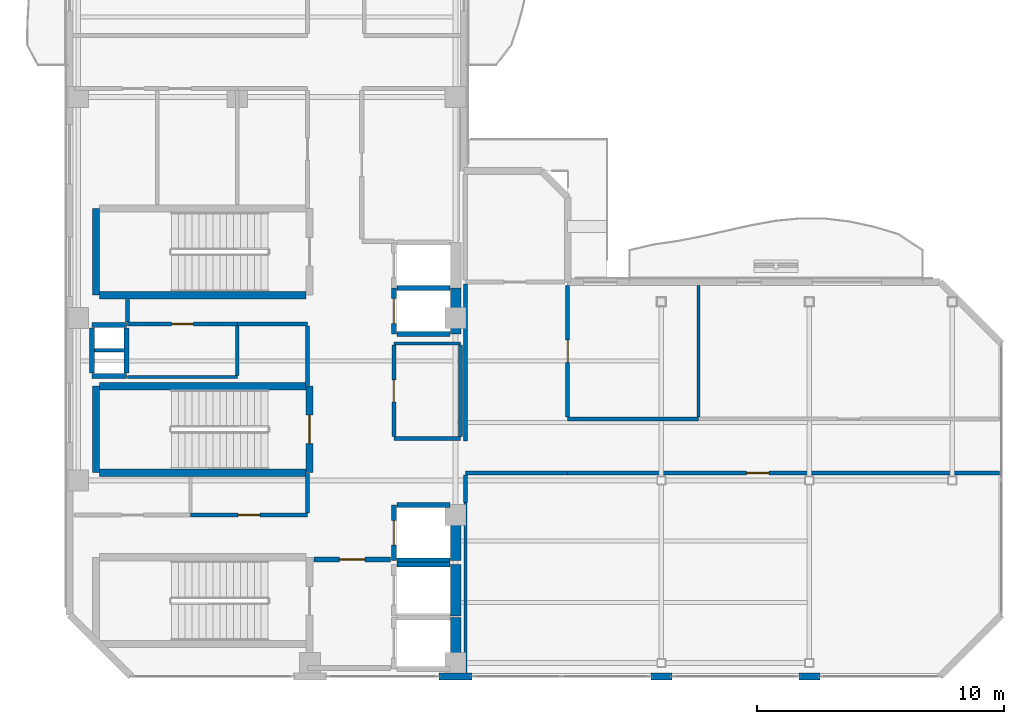
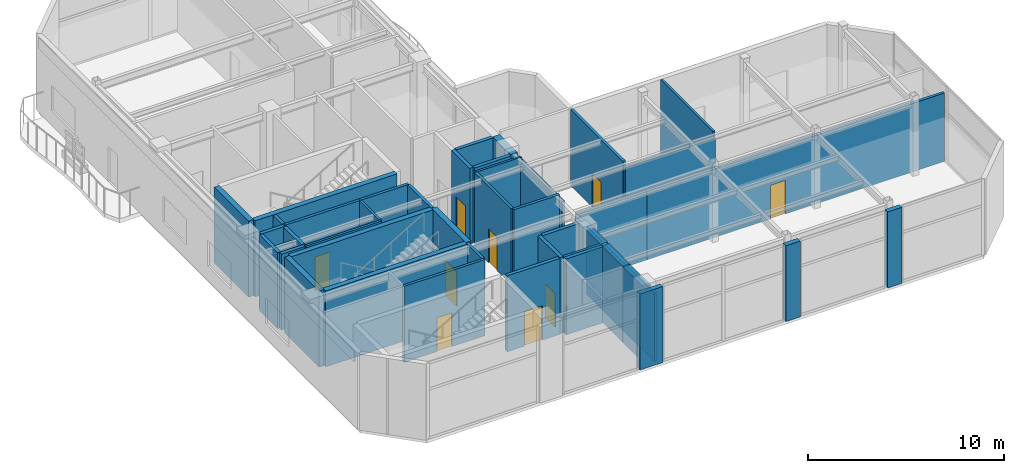
# One storey, part 10 of 16: 46 walls, 9 doors, 9 openings.
"""IFC4 building model written with IfcOpenShell, lengths in metres."""

from ifc_helpers import new_model, si_unit, direction, frame, frame_2d, origin, place, context, subcontext, project, spatial, rectangle, extrude, material, layer, layer_set, type_object, element, fill, save


model = new_model("IFC4")

# Units and contexts
model_context = context("Model", 3, precision=1e-05, world=origin(), true_north=direction((0.0, 1.0)))
body_context = subcontext(model_context, "Body", "Model", "MODEL_VIEW")
ifc_project = project(units=[si_unit("LENGTHUNIT", "METRE"), si_unit("AREAUNIT", "SQUARE_METRE"), si_unit("VOLUMEUNIT", "CUBIC_METRE"), si_unit("PLANEANGLEUNIT", "RADIAN"), si_unit("MASSUNIT", "GRAM", prefix="KILO")], contexts=[model_context])

# Site, building, storey
site_placement = place(None, origin())
site = spatial("IfcSite", under=ifc_project, at=site_placement, CompositionType="ELEMENT")
building_placement = place(site_placement, origin())
building = spatial("IfcBuilding", under=site, at=building_placement, Name="Mawjaban Terraces University", CompositionType="ELEMENT")
storey_placement = place(building_placement, frame((0.0, 0.0, 311.699951171875)))
storey = spatial("IfcBuildingStorey", under=building, at=storey_placement, Name="L76", CompositionType="ELEMENT", Elevation=311.699951171875)

# Walls
ifc_material_1 = material(Name="Concrete C50/60", Category="concrete")
ifc_layer_1 = layer(ifc_material_1, 0.419921875)
ifc_layer_set_1 = layer_set([ifc_layer_1], Name="Concrete C50/60")
wall_type_1 = type_object("IfcWallType", Name="CoreShearWall_420", PredefinedType="SHEAR", material=ifc_layer_set_1)
wall_1_placement = place(storey_placement, frame((37.659912109375, 0.300048828125, 0.0), z_axis=(0.0, 0.0, 1.0), x_axis=(0.0, 1.0, 0.0)))
element("IfcWall", 1, at=wall_1_placement, inside=storey, type_object=wall_type_1, Name="L76 Lift FL-1 Hoistway Wall East", PredefinedType="SHEAR", context=body_context, shape_type="SweptSolid", body=[
    extrude(rectangle(XDim=2.099853515625, YDim=0.419921875, at=frame_2d((1.0498046875, 0.0))), origin(), (0.0, 0.0, 1.0), 4.739990234375),
])
wall_2_placement = place(storey_placement, frame((37.659912109375, 2.449951171875, 0.0), z_axis=(0.0, 0.0, 1.0), x_axis=(0.0, 1.0, 0.0)))
element("IfcWall", 2, at=wall_2_placement, inside=storey, type_object=wall_type_1, Name="L76 Lift FL-2 Hoistway Wall East", PredefinedType="SHEAR", context=body_context, shape_type="SweptSolid", body=[
    extrude(rectangle(XDim=2.10009765625, YDim=0.419921875, at=frame_2d((1.050048828125, 0.0))), origin(), (0.0, 0.0, 1.0), 4.739990234375),
])
wall_3_placement = place(storey_placement, frame((37.659912109375, 4.699951171875, 0.0), z_axis=(0.0, 0.0, 1.0), x_axis=(0.0, 1.0, 0.0)))
element("IfcWall", 3, at=wall_3_placement, inside=storey, type_object=wall_type_1, Name="L76 Lift SL-1 Hoistway Wall East", PredefinedType="SHEAR", context=body_context, shape_type="SweptSolid", body=[
    extrude(rectangle(XDim=2.25, YDim=0.419921875, at=frame_2d((1.125, 0.0))), origin(), (0.0, 0.0, 1.0), 4.739990234375),
])
wall_4_placement = place(storey_placement, frame((37.659912109375, 13.89990234375, 0.0), z_axis=(0.0, 0.0, 1.0), x_axis=(0.0, 1.0, 0.0)))
element("IfcWall", 4, at=wall_4_placement, inside=storey, type_object=wall_type_1, Name="L76 Lift OL-1 Hoistway Wall East", PredefinedType="SHEAR", context=body_context, shape_type="SweptSolid", body=[
    extrude(rectangle(XDim=1.85009765625, YDim=0.419921875, at=frame_2d((0.925048828125, 0.0))), origin(), (0.0, 0.0, 1.0), 4.739990234375),
])

# Wall, opening, door
ifc_material_2 = material(Name="Fire-rated gypsum board on steel stud", Category="steel")
ifc_layer_2 = layer(ifc_material_2, 0.159912109375)
ifc_layer_set_2 = layer_set([ifc_layer_2], Name="Fire-rated gypsum board on steel stud")
wall_type_2 = type_object("IfcWallType", Name="CorridorPartition_160", PredefinedType="PARTITIONING", material=ifc_layer_set_2)
wall_5_placement = place(storey_placement, frame((24.35009765625, 14.300048828125, 0.0), z_axis=(0.0, 0.0, 1.0), x_axis=(1.0, 0.0, 0.0)))
wall_5 = element("IfcWall", 5, at=wall_5_placement, inside=storey, type_object=wall_type_2, Name="L76 Core Riser Access Passage Partition 2", PredefinedType="PARTITIONING", context=body_context, shape_type="SweptSolid", body=[
    extrude(rectangle(XDim=4.449951171875, YDim=0.159912109375, at=frame_2d((2.22509765625, 0.0))), origin(), (0.0, 0.0, 1.0), 4.739990234375),
])
opening_1_placement = place(wall_5_placement, frame((1.784912109375, 0.0, 0.0)))
opening_1 = element("IfcOpeningElement", 6, at=opening_1_placement, cuts=wall_5, Name="Opening ID-088", PredefinedType="OPENING", context=body_context, shape_type="SweptSolid", body=[
    extrude(rectangle(XDim=0.8798828125, YDim=2.10009765625, at=frame_2d((0.43994140625, 1.050048828125))), frame((0.0, 0.08984375, 0.0), z_axis=(0.0, -1.0, 0.0), x_axis=(1.0, 0.0, 0.0)), (0.0, 0.0, 1.0), 0.179931640625),
])
ifc_material_3 = material(Name="Powder-coated steel frame and solid acoustic timber leaf", Category="steel")
door_type_1 = type_object("IfcDoorType", Name="ToiletDoor_880x2100", OperationType="NOTDEFINED", PredefinedType="DOOR", material=ifc_material_3)
door_1_placement = place(opening_1_placement, origin())
door_1 = element("IfcDoor", 7, at=door_1_placement, inside=storey, type_object=door_type_1, Name="L76 Ablution Room Door", OperationType="SINGLE_SWING_RIGHT", OverallHeight=2.10009765625, OverallWidth=0.8798828125, PredefinedType="DOOR", context=body_context, shape_type="SweptSolid", body=[
    extrude(rectangle(XDim=0.8798828125, YDim=2.10009765625, at=frame_2d((0.43994140625, 1.050048828125))), frame((0.0, 0.02490234375, 0.0), z_axis=(0.0, -1.0, 0.0), x_axis=(1.0, 0.0, 0.0)), (0.0, 0.0, 1.0), 0.050048828125),
])
fill(opening_1, door_1)

# Wall
wall_6_placement = place(storey_placement, frame((28.800048828125, 14.300048828125, 0.0), z_axis=(0.0, 0.0, 1.0), x_axis=(1.0, 0.0, 0.0)))
element("IfcWall", 8, at=wall_6_placement, inside=storey, type_object=wall_type_2, Name="L76 Core Riser Access Passage Partition 5", PredefinedType="PARTITIONING", context=body_context, shape_type="SweptSolid", body=[
    extrude(rectangle(XDim=2.849853515625, YDim=0.159912109375, at=frame_2d((1.4248046875, 0.0))), origin(), (0.0, 0.0, 1.0), 4.739990234375),
])

# Wall, opening, door
wall_7_placement = place(storey_placement, frame((31.64990234375, 6.550048828125, 0.0), z_axis=(0.0, 0.0, 1.0), x_axis=(-1.0, 0.0, 0.0)))
wall_7 = element("IfcWall", 9, at=wall_7_placement, inside=storey, type_object=wall_type_2, Name="L76 Core Washroom Lobby Partition 8", PredefinedType="PARTITIONING", context=body_context, shape_type="SweptSolid", body=[
    extrude(rectangle(XDim=4.75, YDim=0.159912109375, at=frame_2d((2.375, 0.0))), origin(), (0.0, 0.0, 1.0), 4.739990234375),
])
opening_2_placement = place(wall_7_placement, frame((1.93505859375, 0.0, 0.0)))
opening_2 = element("IfcOpeningElement", 10, at=opening_2_placement, cuts=wall_7, Name="Opening ID-088", PredefinedType="OPENING", context=body_context, shape_type="SweptSolid", body=[
    extrude(rectangle(XDim=0.8798828125, YDim=2.10009765625, at=frame_2d((0.43994140625, 1.050048828125))), frame((0.0, 0.08984375, 0.0), z_axis=(0.0, -1.0, 0.0), x_axis=(1.0, 0.0, 0.0)), (0.0, 0.0, 1.0), 0.179931640625),
])
door_2_placement = place(opening_2_placement, origin())
door_2 = element("IfcDoor", 11, at=door_2_placement, inside=storey, type_object=door_type_1, Name="L76 Accessible Toilet Door", OperationType="SINGLE_SWING_LEFT", OverallHeight=2.10009765625, OverallWidth=0.8798828125, PredefinedType="DOOR", context=body_context, shape_type="SweptSolid", body=[
    extrude(rectangle(XDim=0.8798828125, YDim=2.10009765625, at=frame_2d((0.43994140625, 1.050048828125))), frame((0.0, 0.02490234375, 0.0), z_axis=(0.0, -1.0, 0.0), x_axis=(1.0, 0.0, 0.0)), (0.0, 0.0, 1.0), 0.050048828125),
])
fill(opening_2, door_2)

# Walls
wall_8_placement = place(storey_placement, frame((35.14990234375, 9.64990234375, 0.0), z_axis=(0.0, 0.0, 1.0), x_axis=(1.0, 0.0, 0.0)))
element("IfcWall", 12, at=wall_8_placement, inside=storey, type_object=wall_type_2, Name="L76 Observation Audio Guide Room Partition 13", PredefinedType="PARTITIONING", context=body_context, shape_type="SweptSolid", body=[
    extrude(rectangle(XDim=2.7001953125, YDim=0.159912109375, at=frame_2d((1.35009765625, 0.0))), origin(), (0.0, 0.0, 1.0), 4.739990234375),
])
wall_9_placement = place(storey_placement, frame((38.050048828125, 8.25, 0.0), z_axis=(0.0, 0.0, 1.0), x_axis=(1.0, 0.0, 0.0)))
element("IfcWall", 13, at=wall_9_placement, inside=storey, type_object=wall_type_2, Name="L76 Observation East Corridor Partition 17", PredefinedType="PARTITIONING", context=body_context, shape_type="SweptSolid", body=[
    extrude(rectangle(XDim=4.14990234375, YDim=0.159912109375, at=frame_2d((2.074951171875, 0.0))), origin(), (0.0, 0.0, 1.0), 4.27099609375),
])

# Wall, opening, door
wall_10_placement = place(storey_placement, frame((42.199951171875, 8.25, 0.0), z_axis=(0.0, 0.0, 1.0), x_axis=(1.0, 0.0, 0.0)))
wall_10 = element("IfcWall", 14, at=wall_10_placement, inside=storey, type_object=wall_type_2, Name="L76 Observation Gallery Corridor Partition 19", PredefinedType="PARTITIONING", context=body_context, shape_type="SweptSolid", body=[
    extrude(rectangle(XDim=17.52001953125, YDim=0.159912109375, at=frame_2d((8.760009765625, 0.0))), origin(), (0.0, 0.0, 1.0), 4.27099609375),
])
opening_3_placement = place(wall_10_placement, frame((7.260009765625, 0.0, 0.0)))
opening_3 = element("IfcOpeningElement", 15, at=opening_3_placement, cuts=wall_10, Name="Opening ID-090", PredefinedType="OPENING", context=body_context, shape_type="SweptSolid", body=[
    extrude(rectangle(XDim=0.89990234375, YDim=2.10009765625, at=frame_2d((0.449951171875, 1.050048828125))), frame((0.0, 0.08984375, 0.0), z_axis=(0.0, -1.0, 0.0), x_axis=(1.0, 0.0, 0.0)), (0.0, 0.0, 1.0), 0.179931640625),
])
door_type_2 = type_object("IfcDoorType", Name="OfficeDoor_900x2100", OperationType="NOTDEFINED", PredefinedType="DOOR", material=ifc_material_3)
door_3_placement = place(opening_3_placement, origin())
door_3 = element("IfcDoor", 16, at=door_3_placement, inside=storey, type_object=door_type_2, Name="L76 Upper Summit Horizon Observation Hall Door", OperationType="SINGLE_SWING_LEFT", OverallHeight=2.10009765625, OverallWidth=0.89990234375, PredefinedType="DOOR", context=body_context, shape_type="SweptSolid", body=[
    extrude(rectangle(XDim=0.89990234375, YDim=2.10009765625, at=frame_2d((0.449951171875, 1.050048828125))), frame((0.0, 0.02490234375, 0.0), z_axis=(0.0, -1.0, 0.0), x_axis=(1.0, 0.0, 0.0)), (0.0, 0.0, 1.0), 0.050048828125),
])
fill(opening_3, door_3)

# Walls
wall_11_placement = place(storey_placement, frame((47.5, 10.449951171875, 0.0), z_axis=(0.0, 0.0, 1.0), x_axis=(-1.0, 0.0, 0.0)))
element("IfcWall", 17, at=wall_11_placement, inside=storey, type_object=wall_type_2, Name="L76 Observation Gallery Corridor Partition 20", PredefinedType="PARTITIONING", context=body_context, shape_type="SweptSolid", body=[
    extrude(rectangle(XDim=5.300048828125, YDim=0.159912109375, at=frame_2d((2.64990234375, 0.0))), origin(), (0.0, 0.0, 1.0), 4.422119140625),
])
wall_12_placement = place(storey_placement, frame((24.35009765625, 15.2900390625, 0.0), z_axis=(0.0, 0.0, 1.0), x_axis=(0.0, -1.0, 0.0)))
element("IfcWall", 18, at=wall_12_placement, inside=storey, type_object=wall_type_2, Name="L76 Core Riser Access Passage Partition 22", PredefinedType="PARTITIONING", context=body_context, shape_type="SweptSolid", body=[
    extrude(rectangle(XDim=0.9150390625, YDim=0.159912109375, at=frame_2d((0.45751953125, 0.0))), origin(), (0.0, 0.0, 1.0), 4.739990234375),
])
wall_13_placement = place(storey_placement, frame((31.64990234375, 8.239990234375, 0.0), z_axis=(0.0, 0.0, 1.0), x_axis=(0.0, -1.0, 0.0)))
element("IfcWall", 19, at=wall_13_placement, inside=storey, type_object=wall_type_2, Name="L76 Observation Shuttle Lift Lobby Partition 27", PredefinedType="PARTITIONING", context=body_context, shape_type="SweptSolid", body=[
    extrude(rectangle(XDim=1.614990234375, YDim=0.159912109375, at=frame_2d((0.8076171875, 0.0))), origin(), (0.0, 0.0, 1.0), 4.739990234375),
])
wall_14_placement = place(storey_placement, frame((31.64990234375, 14.22509765625, 0.0), z_axis=(0.0, 0.0, 1.0), x_axis=(0.0, -1.0, 0.0)))
element("IfcWall", 20, at=wall_14_placement, inside=storey, type_object=wall_type_2, Name="L76 Observation Shuttle Lift Lobby Partition 28", PredefinedType="PARTITIONING", context=body_context, shape_type="SweptSolid", body=[
    extrude(rectangle(XDim=2.4150390625, YDim=0.159912109375, at=frame_2d((1.20751953125, 0.0))), origin(), (0.0, 0.0, 1.0), 4.739990234375),
])

# Wall, opening, door
wall_15_placement = place(storey_placement, frame((35.14990234375, 9.72509765625, 0.0), z_axis=(0.0, 0.0, 1.0), x_axis=(0.0, 1.0, 0.0)))
wall_15 = element("IfcWall", 21, at=wall_15_placement, inside=storey, type_object=wall_type_2, Name="L76 Observation Shuttle Lift Lobby Partition 33", PredefinedType="PARTITIONING", context=body_context, shape_type="SweptSolid", body=[
    extrude(rectangle(XDim=3.718017578125, YDim=0.159912109375, at=frame_2d((1.85888671875, 0.0))), origin(), (0.0, 0.0, 1.0), 4.739990234375),
])
opening_4_placement = place(wall_15_placement, frame((1.408935546875, 0.0, 0.0)))
opening_4 = element("IfcOpeningElement", 22, at=opening_4_placement, cuts=wall_15, Name="Opening ID-090", PredefinedType="OPENING", context=body_context, shape_type="SweptSolid", body=[
    extrude(rectangle(XDim=0.89990234375, YDim=2.10009765625, at=frame_2d((0.449951171875, 1.050048828125))), frame((0.0, 0.08984375, 0.0), z_axis=(0.0, -1.0, 0.0), x_axis=(1.0, 0.0, 0.0)), (0.0, 0.0, 1.0), 0.179931640625),
])
door_4_placement = place(opening_4_placement, origin())
door_4 = element("IfcDoor", 23, at=door_4_placement, inside=storey, type_object=door_type_2, Name="L76 Observation Audio Guide Room Door", OperationType="SINGLE_SWING_LEFT", OverallHeight=2.10009765625, OverallWidth=0.89990234375, PredefinedType="DOOR", context=body_context, shape_type="SweptSolid", body=[
    extrude(rectangle(XDim=0.89990234375, YDim=2.10009765625, at=frame_2d((0.449951171875, 1.050048828125))), frame((0.0, 0.02490234375, 0.0), z_axis=(0.0, -1.0, 0.0), x_axis=(1.0, 0.0, 0.0)), (0.0, 0.0, 1.0), 0.050048828125),
])
fill(opening_4, door_4)

# Walls
wall_16_placement = place(storey_placement, frame((37.85009765625, 9.72509765625, 0.0), z_axis=(0.0, 0.0, 1.0), x_axis=(0.0, 1.0, 0.0)))
element("IfcWall", 24, at=wall_16_placement, inside=storey, type_object=wall_type_2, Name="L76 Observation Audio Guide Room Partition 34", PredefinedType="PARTITIONING", context=body_context, shape_type="SweptSolid", body=[
    extrude(rectangle(XDim=3.718017578125, YDim=0.159912109375, at=frame_2d((1.85888671875, 0.0))), origin(), (0.0, 0.0, 1.0), 4.27099609375),
])
wall_17_placement = place(storey_placement, frame((38.050048828125, 7.050048828125, 0.0), z_axis=(0.0, 0.0, 1.0), x_axis=(0.0, 1.0, 0.0)))
element("IfcWall", 25, at=wall_17_placement, inside=storey, type_object=wall_type_2, Name="L76 Core Stair and Lift Lobby East Partition 35", PredefinedType="PARTITIONING", context=body_context, shape_type="SweptSolid", body=[
    extrude(rectangle(XDim=1.125, YDim=0.159912109375, at=frame_2d((0.5625, 0.0))), origin(), (0.0, 0.0, 1.0), 4.27099609375),
])
wall_18_placement = place(storey_placement, frame((38.050048828125, 15.925048828125, 0.0), z_axis=(0.0, 0.0, 1.0), x_axis=(0.0, -1.0, 0.0)))
element("IfcWall", 26, at=wall_18_placement, inside=storey, type_object=wall_type_2, Name="L76 Observation East Corridor Partition 37", PredefinedType="PARTITIONING", context=body_context, shape_type="SweptSolid", body=[
    extrude(rectangle(XDim=6.375, YDim=0.159912109375, at=frame_2d((3.1875, 0.0))), origin(), (0.0, 0.0, 1.0), 4.27099609375),
])

# Wall, opening, door
wall_19_placement = place(storey_placement, frame((42.199951171875, 10.52490234375, 0.0), z_axis=(0.0, 0.0, 1.0), x_axis=(0.0, 1.0, 0.0)))
wall_19 = element("IfcWall", 27, at=wall_19_placement, inside=storey, type_object=wall_type_2, Name="L76 Observation East Corridor Partition 39", PredefinedType="PARTITIONING", context=body_context, shape_type="SweptSolid", body=[
    extrude(rectangle(XDim=5.342041015625, YDim=0.159912109375, at=frame_2d((2.6708984375, 0.0))), origin(), (0.0, 0.0, 1.0), 4.739990234375),
])
opening_5_placement = place(wall_19_placement, frame((2.220947265625, 0.0, 0.0)))
opening_5 = element("IfcOpeningElement", 28, at=opening_5_placement, cuts=wall_19, Name="Opening ID-090", PredefinedType="OPENING", context=body_context, shape_type="SweptSolid", body=[
    extrude(rectangle(XDim=0.89990234375, YDim=2.10009765625, at=frame_2d((0.449951171875, 1.050048828125))), frame((0.0, 0.08984375, 0.0), z_axis=(0.0, -1.0, 0.0), x_axis=(1.0, 0.0, 0.0)), (0.0, 0.0, 1.0), 0.179931640625),
])
door_5_placement = place(opening_5_placement, origin())
door_5 = element("IfcDoor", 29, at=door_5_placement, inside=storey, type_object=door_type_2, Name="L76 Observatory Refreshment Pantry Door", OperationType="SINGLE_SWING_LEFT", OverallHeight=2.10009765625, OverallWidth=0.89990234375, PredefinedType="DOOR", context=body_context, shape_type="SweptSolid", body=[
    extrude(rectangle(XDim=0.89990234375, YDim=2.10009765625, at=frame_2d((0.449951171875, 1.050048828125))), frame((0.0, 0.02490234375, 0.0), z_axis=(0.0, -1.0, 0.0), x_axis=(1.0, 0.0, 0.0)), (0.0, 0.0, 1.0), 0.050048828125),
])
fill(opening_5, door_5)

# Walls
ifc_material_4 = material(Name="Insulated terracotta rainscreen on concrete backup C40/50", Category="masonry")
ifc_layer_3 = layer(ifc_material_4, 0.27490234375)
ifc_layer_set_3 = layer_set([ifc_layer_3], Name="Insulated terracotta rainscreen on concrete backup C40/50")
wall_type_3 = type_object("IfcWallType", Name="ExtTerracottaWall_275", PredefinedType="SOLIDWALL", material=ifc_layer_set_3)
wall_20_placement = place(storey_placement, frame((36.97509765625, 0.0, 0.0), z_axis=(0.0, 0.0, 1.0), x_axis=(1.0, 0.0, 0.0)))
element("IfcWall", 30, at=wall_20_placement, inside=storey, type_object=wall_type_3, Name="L76 Exterior Terracotta Pier Wall 1.2", PredefinedType="SOLIDWALL", context=body_context, shape_type="SweptSolid", body=[
    extrude(rectangle(XDim=1.349853515625, YDim=0.27490234375, at=frame_2d((0.6748046875, 0.0))), origin(), (0.0, 0.0, 1.0), 4.739990234375),
])
for number, where, z_axis, x_axis, name in (
    (31, (45.574951171875, 0.0, 0.0), (0.0, 0.0, 1.0), (1.0, 0.0, 0.0), "L76 Exterior Terracotta Pier Wall 1.3"),
    (32, (51.574951171875, 0.0, 0.0), (0.0, 0.0, 1.0), (1.0, 0.0, 0.0), "L76 Exterior Terracotta Pier Wall 1.4"),
):
    element("IfcWall", number, at=place(storey_placement, frame(where, z_axis=z_axis, x_axis=x_axis)), inside=storey, type_object=wall_type_3, Name=name, PredefinedType="SOLIDWALL", context=body_context, shape_type="SweptSolid", body=[
        extrude(rectangle(XDim=0.85009765625, YDim=0.27490234375, at=frame_2d((0.425048828125, 0.0))), origin(), (0.0, 0.0, 1.0), 4.739990234375),
    ])
ifc_material_5 = material(Name="Concrete C40/50", Category="concrete")
ifc_layer_4 = layer(ifc_material_5, 0.199951171875)
ifc_layer_set_4 = layer_set([ifc_layer_4], Name="Concrete C40/50")
wall_type_4 = type_object("IfcWallType", Name="FireLobbyWall_200", PredefinedType="SOLIDWALL", material=ifc_layer_set_4)
wall_21_placement = place(storey_placement, frame((37.419921875, 4.550048828125, 0.0), z_axis=(0.0, 0.0, 1.0), x_axis=(-1.0, 0.0, 0.0)))
element("IfcWall", 33, at=wall_21_placement, inside=storey, type_object=wall_type_4, Name="L76 Lift FL-2 Hoistway Wall North", PredefinedType="SOLIDWALL", context=body_context, shape_type="SweptSolid", body=[
    extrude(rectangle(XDim=2.139892578125, YDim=0.199951171875, at=frame_2d((1.06982421875, 0.0))), origin(), (0.0, 0.0, 1.0), 4.739990234375),
])

# Wall, opening, door
wall_22_placement = place(storey_placement, frame((35.14990234375, 6.949951171875, 0.0), z_axis=(0.0, 0.0, 1.0), x_axis=(0.0, -1.0, 0.0)))
wall_22 = element("IfcWall", 34, at=wall_22_placement, inside=storey, type_object=wall_type_4, Name="L76 Lift SL-1 Hoistway Wall West", PredefinedType="SOLIDWALL", context=body_context, shape_type="SweptSolid", body=[
    extrude(rectangle(XDim=2.25, YDim=0.199951171875, at=frame_2d((1.125, 0.0))), origin(), (0.0, 0.0, 1.0), 4.739990234375),
])
opening_6_placement = place(wall_22_placement, frame((0.625, 0.0, 0.0)))
opening_6 = element("IfcOpeningElement", 35, at=opening_6_placement, cuts=wall_22, Name="Opening LD-SL-1", PredefinedType="OPENING", context=body_context, shape_type="SweptSolid", body=[
    extrude(rectangle(XDim=1.0, YDim=2.10009765625, at=frame_2d((0.5, 1.050048828125))), frame((0.0, 0.10986328125, 0.0), z_axis=(0.0, -1.0, 0.0), x_axis=(1.0, 0.0, 0.0)), (0.0, 0.0, 1.0), 0.219970703125),
])
ifc_material_6 = material(Name="Powder-coated steel frame and fire-rated steel-faced leaf", Category="steel")
door_type_3 = type_object("IfcDoorType", Name="LiftLandingSliding_1000x2100", OperationType="NOTDEFINED", PredefinedType="DOOR", material=ifc_material_6)
door_6_placement = place(opening_6_placement, origin())
door_6 = element("IfcDoor", 36, at=door_6_placement, inside=storey, type_object=door_type_3, Name="L76 Lift SL-1 Sliding Landing Door", OperationType="DOUBLE_DOOR_SLIDING", OverallHeight=2.10009765625, OverallWidth=1.0, PredefinedType="DOOR", context=body_context, shape_type="SweptSolid", body=[
    extrude(rectangle(XDim=1.0, YDim=2.10009765625, at=frame_2d((0.5, 1.050048828125))), frame((0.0, 0.02490234375, 0.0), z_axis=(0.0, -1.0, 0.0), x_axis=(1.0, 0.0, 0.0)), (0.0, 0.0, 1.0), 0.050048828125),
])
fill(opening_6, door_6)

# Walls
for number, where, z_axis, x_axis, name in (
    (37, (35.280029296875, 4.699951171875, 0.0), (0.0, 0.0, 1.0), (1.0, 0.0, 0.0), "L76 Lift SL-1 Hoistway Wall South"),
    (38, (37.419921875, 6.949951171875, 0.0), (0.0, 0.0, 1.0), (-1.0, 0.0, 0.0), "L76 Lift SL-1 Hoistway Wall North"),
):
    element("IfcWall", number, at=place(storey_placement, frame(where, z_axis=z_axis, x_axis=x_axis)), inside=storey, type_object=wall_type_4, Name=name, PredefinedType="SOLIDWALL", context=body_context, shape_type="SweptSolid", body=[
        extrude(rectangle(XDim=2.139892578125, YDim=0.199951171875, at=frame_2d((1.06982421875, 0.0))), origin(), (0.0, 0.0, 1.0), 4.739990234375),
    ])

# Wall, opening, door
wall_23_placement = place(storey_placement, frame((35.14990234375, 15.75, 0.0), z_axis=(0.0, 0.0, 1.0), x_axis=(0.0, -1.0, 0.0)))
wall_23 = element("IfcWall", 39, at=wall_23_placement, inside=storey, type_object=wall_type_4, Name="L76 Lift OL-1 Hoistway Wall West", PredefinedType="SOLIDWALL", context=body_context, shape_type="SweptSolid", body=[
    extrude(rectangle(XDim=1.85009765625, YDim=0.199951171875, at=frame_2d((0.925048828125, 0.0))), origin(), (0.0, 0.0, 1.0), 4.739990234375),
])
opening_7_placement = place(wall_23_placement, frame((0.425048828125, 0.0, 0.0)))
opening_7 = element("IfcOpeningElement", 40, at=opening_7_placement, cuts=wall_23, Name="Opening LD-OL-1", PredefinedType="OPENING", context=body_context, shape_type="SweptSolid", body=[
    extrude(rectangle(XDim=1.0, YDim=2.10009765625, at=frame_2d((0.5, 1.050048828125))), frame((0.0, 0.10986328125, 0.0), z_axis=(0.0, -1.0, 0.0), x_axis=(1.0, 0.0, 0.0)), (0.0, 0.0, 1.0), 0.219970703125),
])
door_7_placement = place(opening_7_placement, origin())
door_7 = element("IfcDoor", 41, at=door_7_placement, inside=storey, type_object=door_type_3, Name="L76 Lift OL-1 Sliding Landing Door", OperationType="DOUBLE_DOOR_SLIDING", OverallHeight=2.10009765625, OverallWidth=1.0, PredefinedType="DOOR", context=body_context, shape_type="SweptSolid", body=[
    extrude(rectangle(XDim=1.0, YDim=2.10009765625, at=frame_2d((0.5, 1.050048828125))), frame((0.0, 0.02490234375, 0.0), z_axis=(0.0, -1.0, 0.0), x_axis=(1.0, 0.0, 0.0)), (0.0, 0.0, 1.0), 0.050048828125),
])
fill(opening_7, door_7)

# Walls
for number, where, z_axis, x_axis, name in (
    (42, (35.280029296875, 13.89990234375, 0.0), (0.0, 0.0, 1.0), (1.0, 0.0, 0.0), "L76 Lift OL-1 Hoistway Wall South"),
    (43, (37.419921875, 15.75, 0.0), (0.0, 0.0, 1.0), (-1.0, 0.0, 0.0), "L76 Lift OL-1 Hoistway Wall North"),
):
    element("IfcWall", number, at=place(storey_placement, frame(where, z_axis=z_axis, x_axis=x_axis)), inside=storey, type_object=wall_type_4, Name=name, PredefinedType="SOLIDWALL", context=body_context, shape_type="SweptSolid", body=[
        extrude(rectangle(XDim=2.139892578125, YDim=0.199951171875, at=frame_2d((1.06982421875, 0.0))), origin(), (0.0, 0.0, 1.0), 4.739990234375),
    ])
for number, where, z_axis, x_axis, name in (
    (44, (22.89990234375, 14.25, 0.0), (0.0, 0.0, 1.0), (1.0, 0.0, 0.0), "L76 MEP Riser Shaft Wall N"),
    (45, (22.89990234375, 12.179931640625, 0.0), (0.0, 0.0, 1.0), (1.0, 0.0, 0.0), "L76 MEP Riser Shaft Wall S"),
):
    element("IfcWall", number, at=place(storey_placement, frame(where, z_axis=z_axis, x_axis=x_axis)), inside=storey, type_object=wall_type_4, Name=name, PredefinedType="SOLIDWALL", context=body_context, shape_type="SweptSolid", body=[
        extrude(rectangle(XDim=1.400146484375, YDim=0.199951171875, at=frame_2d((0.7001953125, 0.0))), origin(), (0.0, 0.0, 1.0), 4.739990234375),
    ])
for number, where, z_axis, x_axis, name in (
    (46, (24.300048828125, 12.300048828125, 0.0), (0.0, 0.0, 1.0), (0.0, 1.0, 0.0), "L76 MEP Riser Shaft Wall E"),
    (47, (22.89990234375, 12.300048828125, 0.0), (0.0, 0.0, 1.0), (0.0, 1.0, 0.0), "L76 MEP Riser Shaft Wall W"),
):
    element("IfcWall", number, at=place(storey_placement, frame(where, z_axis=z_axis, x_axis=x_axis)), inside=storey, type_object=wall_type_4, Name=name, PredefinedType="SOLIDWALL", context=body_context, shape_type="SweptSolid", body=[
        extrude(rectangle(XDim=1.829833984375, YDim=0.199951171875, at=frame_2d((0.9150390625, 0.0))), origin(), (0.0, 0.0, 1.0), 4.739990234375),
    ])

# Wall, opening, door
wall_24_placement = place(storey_placement, frame((35.02001953125, 4.75, 0.0), z_axis=(0.0, 0.0, 1.0), x_axis=(-1.0, 0.0, 0.0)))
wall_24 = element("IfcWall", 48, at=wall_24_placement, inside=storey, type_object=wall_type_4, Name="L76 Firefighting Lift Lobby Partition 12", PredefinedType="SOLIDWALL", context=body_context, shape_type="SweptSolid", body=[
    extrude(rectangle(XDim=3.110107421875, YDim=0.199951171875, at=frame_2d((1.55517578125, 0.0))), origin(), (0.0, 0.0, 1.0), 4.739990234375),
])
opening_8_placement = place(wall_24_placement, frame((1.030029296875, 0.0, 0.0)))
opening_8 = element("IfcOpeningElement", 49, at=opening_8_placement, cuts=wall_24, Name="Opening FD-105", PredefinedType="OPENING", context=body_context, shape_type="SweptSolid", body=[
    extrude(rectangle(XDim=1.050048828125, YDim=2.14990234375, at=frame_2d((0.52490234375, 1.074951171875))), frame((0.0, 0.10986328125, 0.0), z_axis=(0.0, -1.0, 0.0), x_axis=(1.0, 0.0, 0.0)), (0.0, 0.0, 1.0), 0.219970703125),
])
door_type_4 = type_object("IfcDoorType", Name="FireLobbyDoor_1050x2150", OperationType="NOTDEFINED", PredefinedType="DOOR", material=ifc_material_6)
door_8_placement = place(opening_8_placement, origin())
door_8 = element("IfcDoor", 50, at=door_8_placement, inside=storey, type_object=door_type_4, Name="L76 Firefighting Lift Lobby Door", OperationType="SINGLE_SWING_RIGHT", OverallHeight=2.14990234375, OverallWidth=1.050048828125, PredefinedType="DOOR", context=body_context, shape_type="SweptSolid", body=[
    extrude(rectangle(XDim=1.050048828125, YDim=2.14990234375, at=frame_2d((0.52490234375, 1.074951171875))), frame((0.0, 0.02490234375, 0.0), z_axis=(0.0, -1.0, 0.0), x_axis=(1.0, 0.0, 0.0)), (0.0, 0.0, 1.0), 0.050048828125),
])
fill(opening_8, door_8)

# Walls
ifc_material_7 = material(Name="Moisture-resistant gypsum board on steel stud", Category="steel")
ifc_layer_5 = layer(ifc_material_7, 0.14501953125)
ifc_layer_set_5 = layer_set([ifc_layer_5], Name="Moisture-resistant gypsum board on steel stud")
wall_type_5 = type_object("IfcWallType", Name="LabPartition_145", PredefinedType="PARTITIONING", material=ifc_layer_set_5)
wall_25_placement = place(storey_placement, frame((23.010009765625, 13.22509765625, 0.0), z_axis=(0.0, 0.0, 1.0), x_axis=(1.0, 0.0, 0.0)))
element("IfcWall", 51, at=wall_25_placement, inside=storey, type_object=wall_type_5, Name="L76 MEP Riser Shaft Wall M", PredefinedType="PARTITIONING", context=body_context, shape_type="SweptSolid", body=[
    extrude(rectangle(XDim=1.179931640625, YDim=0.14501953125, at=frame_2d((0.58984375, 0.0))), origin(), (0.0, 0.0, 1.0), 4.422119140625),
])
ifc_material_8 = material(Name="Gypsum plasterboard on steel stud", Category="steel")
ifc_layer_6 = layer(ifc_material_8, 0.125)
ifc_layer_set_6 = layer_set([ifc_layer_6], Name="Gypsum plasterboard on steel stud")
wall_type_6 = type_object("IfcWallType", Name="OfficePartition_125", PredefinedType="PARTITIONING", material=ifc_layer_set_6)
wall_26_placement = place(storey_placement, frame((37.85009765625, 13.5, 0.0), z_axis=(0.0, 0.0, 1.0), x_axis=(-1.0, 0.0, 0.0)))
element("IfcWall", 52, at=wall_26_placement, inside=storey, type_object=wall_type_6, Name="L76 Observation Audio Guide Room Partition 14", PredefinedType="PARTITIONING", context=body_context, shape_type="SweptSolid", body=[
    extrude(rectangle(XDim=2.7001953125, YDim=0.125, at=frame_2d((1.35009765625, 0.0))), origin(), (0.0, 0.0, 1.0), 4.739990234375),
])
wall_27_placement = place(storey_placement, frame((38.050048828125, 7.050048828125, 0.0), z_axis=(0.0, 0.0, 1.0), x_axis=(0.0, -1.0, 0.0)))
element("IfcWall", 53, at=wall_27_placement, inside=storey, type_object=wall_type_6, Name="L76 Upper Summit Horizon Observation Hall Partition 36", PredefinedType="PARTITIONING", context=body_context, shape_type="SweptSolid", body=[
    extrude(rectangle(XDim=6.9169921875, YDim=0.125, at=frame_2d((3.45849609375, 0.0))), origin(), (0.0, 0.0, 1.0), 4.27099609375),
])
wall_28_placement = place(storey_placement, frame((47.5, 15.866943359375, 0.0), z_axis=(0.0, 0.0, 1.0), x_axis=(0.0, -1.0, 0.0)))
element("IfcWall", 54, at=wall_28_placement, inside=storey, type_object=wall_type_6, Name="L76 Summit Visitor Sky Lounge Partition 40", PredefinedType="PARTITIONING", context=body_context, shape_type="SweptSolid", body=[
    extrude(rectangle(XDim=5.342041015625, YDim=0.125, at=frame_2d((2.6708984375, 0.0))), origin(), (0.0, 0.0, 1.0), 4.739990234375),
])
ifc_material_9 = material(Name="Concrete C60/75", Category="concrete")
ifc_layer_7 = layer(ifc_material_9, 0.300048828125)
ifc_layer_set_7 = layer_set([ifc_layer_7], Name="Concrete C60/75")
wall_type_7 = type_object("IfcWallType", Name="StairShaftWall_300", PredefinedType="SHEAR", material=ifc_layer_set_7)
wall_29_placement = place(storey_placement, frame((23.070068359375, 18.97998046875, 0.0), z_axis=(0.0, 0.0, 1.0), x_axis=(0.0, -1.0, 0.0)))
element("IfcWall", 55, at=wall_29_placement, inside=storey, type_object=wall_type_7, Name="L76 ST-2 Stair Shaft Wall 2", PredefinedType="SHEAR", context=body_context, shape_type="SweptSolid", body=[
    extrude(rectangle(XDim=3.510009765625, YDim=0.300048828125, at=frame_2d((1.7548828125, 0.0))), origin(), (0.0, 0.0, 1.0), 4.739990234375),
])
for number, where, z_axis, x_axis, name in (
    (56, (23.219970703125, 15.469970703125, 0.0), (0.0, 0.0, 1.0), (1.0, 0.0, 0.0), "L76 ST-2 Stair Shaft Wall 3"),
    (57, (31.580078125, 11.780029296875, 0.0), (0.0, 0.0, 1.0), (-1.0, 0.0, 0.0), "L76 ST-3 Stair Shaft Wall 1"),
):
    element("IfcWall", number, at=place(storey_placement, frame(where, z_axis=z_axis, x_axis=x_axis)), inside=storey, type_object=wall_type_7, Name=name, PredefinedType="SHEAR", context=body_context, shape_type="SweptSolid", body=[
        extrude(rectangle(XDim=8.360107421875, YDim=0.300048828125, at=frame_2d((4.18017578125, 0.0))), origin(), (0.0, 0.0, 1.0), 4.739990234375),
    ])
wall_30_placement = place(storey_placement, frame((23.070068359375, 11.780029296875, 0.0), z_axis=(0.0, 0.0, 1.0), x_axis=(0.0, -1.0, 0.0)))
element("IfcWall", 58, at=wall_30_placement, inside=storey, type_object=wall_type_7, Name="L76 ST-3 Stair Shaft Wall 2", PredefinedType="SHEAR", context=body_context, shape_type="SweptSolid", body=[
    extrude(rectangle(XDim=3.510009765625, YDim=0.300048828125, at=frame_2d((1.7548828125, 0.0))), origin(), (0.0, 0.0, 1.0), 4.739990234375),
])
wall_31_placement = place(storey_placement, frame((23.219970703125, 8.27001953125, 0.0), z_axis=(0.0, 0.0, 1.0), x_axis=(1.0, 0.0, 0.0)))
element("IfcWall", 59, at=wall_31_placement, inside=storey, type_object=wall_type_7, Name="L76 ST-3 Stair Shaft Wall 3", PredefinedType="SHEAR", context=body_context, shape_type="SweptSolid", body=[
    extrude(rectangle(XDim=8.360107421875, YDim=0.300048828125, at=frame_2d((4.18017578125, 0.0))), origin(), (0.0, 0.0, 1.0), 4.739990234375),
])

# Wall, opening, door
wall_32_placement = place(storey_placement, frame((31.72998046875, 8.27001953125, 0.0), z_axis=(0.0, 0.0, 1.0), x_axis=(0.0, 1.0, 0.0)))
wall_32 = element("IfcWall", 60, at=wall_32_placement, inside=storey, type_object=wall_type_7, Name="L76 ST-3 Stair Shaft Wall 4", PredefinedType="SHEAR", context=body_context, shape_type="SweptSolid", body=[
    extrude(rectangle(XDim=3.510009765625, YDim=0.300048828125, at=frame_2d((1.7548828125, 0.0))), origin(), (0.0, 0.0, 1.0), 4.739990234375),
])
opening_9_placement = place(wall_32_placement, frame((1.179931640625, 0.0, 0.0)))
opening_9 = element("IfcOpeningElement", 61, at=opening_9_placement, cuts=wall_32, Name="Opening FD-115", PredefinedType="OPENING", context=body_context, shape_type="SweptSolid", body=[
    extrude(rectangle(XDim=1.14990234375, YDim=2.14990234375, at=frame_2d((0.574951171875, 1.074951171875))), frame((0.0, 0.159912109375, 0.0), z_axis=(0.0, -1.0, 0.0), x_axis=(1.0, 0.0, 0.0)), (0.0, 0.0, 1.0), 0.320068359375),
])
door_type_5 = type_object("IfcDoorType", Name="FireStairDoor_1150x2150", OperationType="NOTDEFINED", PredefinedType="DOOR", material=ifc_material_6)
door_9_placement = place(opening_9_placement, origin())
door_9 = element("IfcDoor", 62, at=door_9_placement, inside=storey, type_object=door_type_5, Name="L76 ST-3 Pressurised Stair Fire Door", OperationType="SINGLE_SWING_LEFT", OverallHeight=2.14990234375, OverallWidth=1.14990234375, PredefinedType="DOOR", context=body_context, shape_type="SweptSolid", body=[
    extrude(rectangle(XDim=1.14990234375, YDim=2.14990234375, at=frame_2d((0.574951171875, 1.074951171875))), frame((0.0, 0.02490234375, 0.0), z_axis=(0.0, -1.0, 0.0), x_axis=(1.0, 0.0, 0.0)), (0.0, 0.0, 1.0), 0.050048828125),
])
fill(opening_9, door_9)

# Walls
ifc_material_10 = material(Name="Cement-board wet-room partition", Category="masonry")
ifc_layer_8 = layer(ifc_material_10, 0.135009765625)
ifc_layer_set_8 = layer_set([ifc_layer_8], Name="Cement-board wet-room partition")
wall_type_8 = type_object("IfcWallType", Name="WetRoomPartition_135", PredefinedType="PARTITIONING", material=ifc_layer_set_8)
wall_33_placement = place(storey_placement, frame((24.35009765625, 12.14990234375, 0.0), z_axis=(0.0, 0.0, 1.0), x_axis=(1.0, 0.0, 0.0)))
element("IfcWall", 63, at=wall_33_placement, inside=storey, type_object=wall_type_8, Name="L76 Ablution Room Partition 1", PredefinedType="PARTITIONING", context=body_context, shape_type="SweptSolid", body=[
    extrude(rectangle(XDim=4.449951171875, YDim=0.135009765625, at=frame_2d((2.22509765625, 0.0))), origin(), (0.0, 0.0, 1.0), 4.739990234375),
])
wall_34_placement = place(storey_placement, frame((28.800048828125, 12.212890625, 0.0), z_axis=(0.0, 0.0, 1.0), x_axis=(0.0, 1.0, 0.0)))
element("IfcWall", 64, at=wall_34_placement, inside=storey, type_object=wall_type_8, Name="L76 Ablution Room Partition 25", PredefinedType="PARTITIONING", context=body_context, shape_type="SweptSolid", body=[
    extrude(rectangle(XDim=2.01220703125, YDim=0.135009765625, at=frame_2d((1.006103515625, 0.0))), origin(), (0.0, 0.0, 1.0), 4.739990234375),
])

save(model, "model.ifc")
